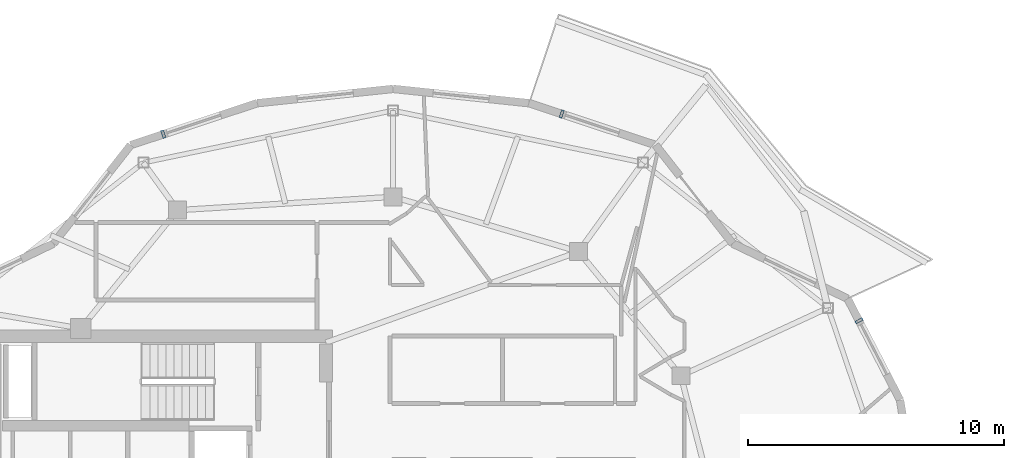
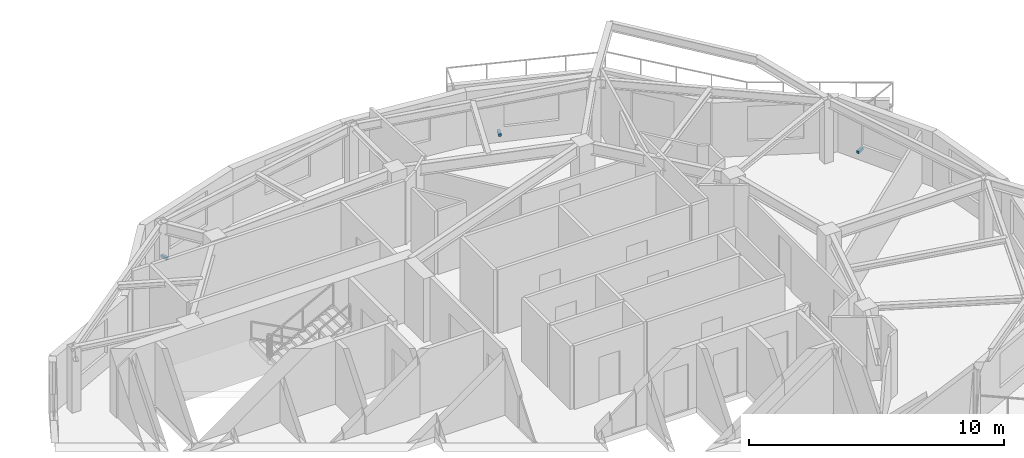
# One storey, part 8 of 11: 3 discrete accessories.
"""IFC4 building model written with IfcOpenShell, lengths in metres."""

from ifc_helpers import new_model, si_unit, direction, frame, origin, origin_2d, place, context, subcontext, project, spatial, rectangle, extrude, material, type_object, element, save


model = new_model("IFC4")

# Units and contexts
model_context = context("Model", 3, precision=1e-05, world=origin(), true_north=direction((0.0, 1.0)))
body_context = subcontext(model_context, "Body", "Model", "MODEL_VIEW")
ifc_project = project(units=[si_unit("LENGTHUNIT", "METRE"), si_unit("AREAUNIT", "SQUARE_METRE"), si_unit("VOLUMEUNIT", "CUBIC_METRE"), si_unit("PLANEANGLEUNIT", "RADIAN"), si_unit("MASSUNIT", "GRAM", prefix="KILO")], contexts=[model_context])

# Site, building, storey
site_placement = place(None, origin())
site = spatial("IfcSite", under=ifc_project, at=site_placement, CompositionType="ELEMENT")
building_placement = place(site_placement, origin())
building = spatial("IfcBuilding", under=site, at=building_placement, Name="Kolvaren Gate Tower and Convention Centre", CompositionType="ELEMENT")
storey_placement = place(building_placement, frame((0.0, 0.0, 262.39990234375)))
storey = spatial("IfcBuildingStorey", under=building, at=storey_placement, Name="L71", CompositionType="ELEMENT", Elevation=262.39990234375)

# Discrete accessories
ifc_material = material(Name="Anodized Architectural Aluminium Alloy 6063-T6", Category="aluminium")
discrete_accessory_type = type_object("IfcDiscreteAccessoryType", Name="ARCH-ACC-BRACKET-120", PredefinedType="BRACKET", material=ifc_material)
for number, where, z_axis, x_axis, name in (
    (1, (48.3515625, 34.35107421875, 0.2900390625), (0.0, 0.0, 1.0), (0.459793759781, -0.888025730746, 0.0), "Ceramic Fin Wall Anchor Bracket FBK-L71-01"),
    (2, (36.718505859375, 42.44140625, 0.2900390625), (0.0, 0.0, 1.0), (0.949243375549, -0.314542547163, 0.0), "Ceramic Fin Wall Anchor Bracket FBK-L71-04"),
    (3, (21.138916015625, 41.6484375, 0.2900390625), (0.0, 0.0, 1.0), (0.949243375549, 0.314542547163, 0.0), "Ceramic Fin Wall Anchor Bracket FBK-L71-07"),
):
    element("IfcDiscreteAccessory", number, at=place(storey_placement, frame(where, z_axis=z_axis, x_axis=x_axis)), inside=storey, type_object=discrete_accessory_type, Name=name, PredefinedType="BRACKET", context=body_context, shape_type="SweptSolid", body=[
        extrude(rectangle(XDim=0.1201171875, YDim=0.320068359375, at=origin_2d()), origin(), (0.0, 0.0, 1.0), 0.1201171875),
    ])

save(model, "model.ifc")
